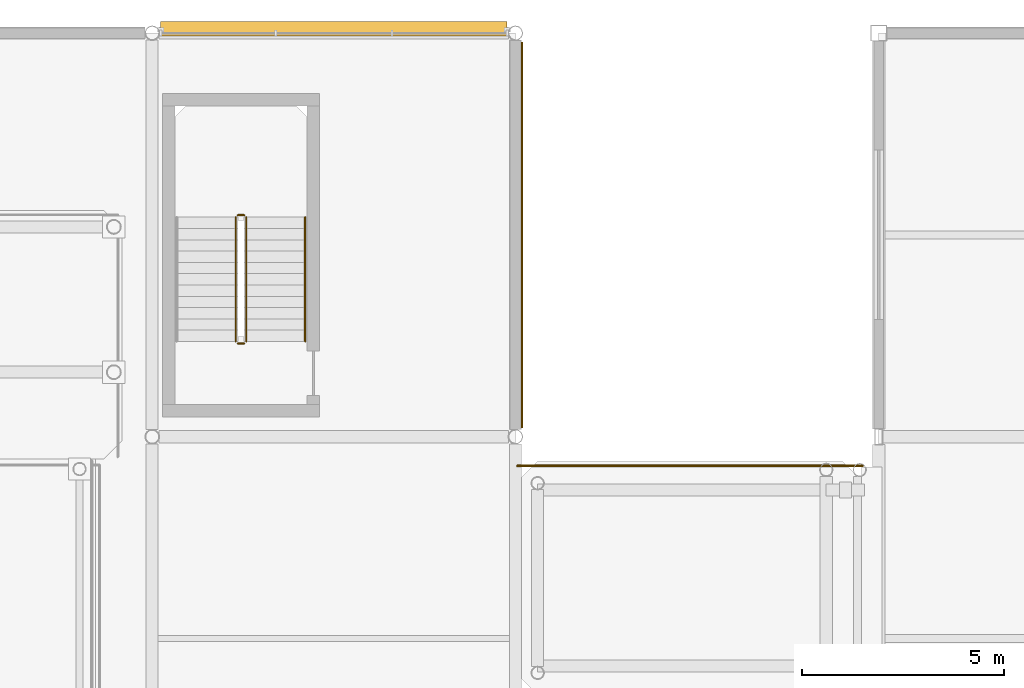
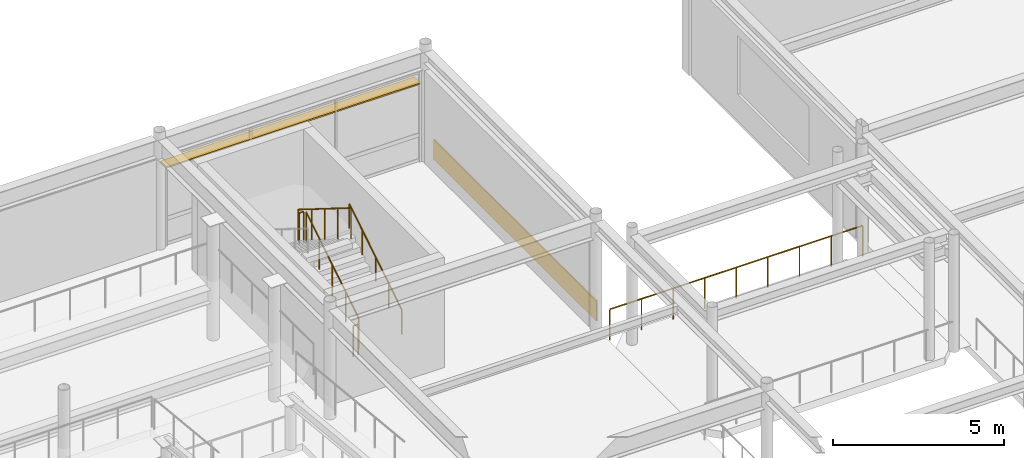
# One storey, part 62 of 70: 6 railings, 1 covering, 1 shading device.
"""IFC4 building model written with IfcOpenShell, lengths in metres."""

from ifc_helpers import new_model, si_unit, direction, frame, origin, origin_2d, place, context, subcontext, project, spatial, rectangle, circle, extrude, material, layer, layer_set, material_profile, profile_set, type_object, element, save


model = new_model("IFC4")

# Units and contexts
model_context = context("Model", 3, precision=1e-05, world=origin(), true_north=direction((0.0, 1.0)))
body_context = subcontext(model_context, "Body", "Model", "MODEL_VIEW")
ifc_project = project(units=[si_unit("LENGTHUNIT", "METRE"), si_unit("AREAUNIT", "SQUARE_METRE"), si_unit("VOLUMEUNIT", "CUBIC_METRE"), si_unit("PLANEANGLEUNIT", "RADIAN"), si_unit("MASSUNIT", "GRAM", prefix="KILO")], contexts=[model_context])

# Site, building, storey
site_placement = place(None, origin())
site = spatial("IfcSite", under=ifc_project, at=site_placement, CompositionType="ELEMENT")
building_placement = place(site_placement, origin())
building = spatial("IfcBuilding", under=site, at=building_placement, Name="Suzunagisa Mobility Hub", CompositionType="ELEMENT")
storey_placement = place(building_placement, frame((0.0, 0.0, 13.5)))
storey = spatial("IfcBuildingStorey", under=building, at=storey_placement, Name="L03", CompositionType="ELEMENT", Elevation=13.5)

# Railings
ifc_material_1 = material(Name="Stainless Steel SUS304", Category="metal")
railing_type_1 = type_object("IfcRailingType", Name="Interior Well Guardrail IGR-01", PredefinedType="GUARDRAIL", material=ifc_material_1)
railing_1_placement = place(storey_placement, frame((29.330078125, 110.360107421875, 0.175048828125)))
element("IfcRailing", 1, at=railing_1_placement, inside=storey, type_object=railing_type_1, Name="L03 ST-06 stair guard 1", PredefinedType="GUARDRAIL", context=body_context, shape_type="SweptSolid", body=[
    extrude(circle(Radius=0.02392578125, at=origin_2d()), frame((0.0, 0.0, 1.09619140625), z_axis=(0.0, 0.847979421464, 0.530029150871), x_axis=(-1.0, 0.0, 0.0)), (0.0, 0.0, 1.0), 3.632080078125),
    extrude(circle(Radius=0.02099609375, at=origin_2d()), origin(), (0.0, 0.0, 1.0), 1.072021484375),
    extrude(circle(Radius=0.02099609375, at=origin_2d()), frame((0.0, 0.77001953125, 0.481201171875)), (0.0, 0.0, 1.0), 1.072021484375),
    extrude(circle(Radius=0.02099609375, at=origin_2d()), frame((0.0, 1.5400390625, 0.96240234375)), (0.0, 0.0, 1.0), 1.072021484375),
    extrude(circle(Radius=0.02099609375, at=origin_2d()), frame((0.0, 2.309814453125, 1.44384765625)), (0.0, 0.0, 1.0), 1.072021484375),
    extrude(circle(Radius=0.02099609375, at=origin_2d()), frame((0.0, 3.079833984375, 1.925048828125)), (0.0, 0.0, 1.0), 1.072021484375),
])
railing_2_placement = place(storey_placement, frame((29.280029296875, 113.489990234375, 2.10009765625)))
element("IfcRailing", 2, at=railing_2_placement, inside=storey, type_object=railing_type_1, Name="L03 ST-06 stair guard 2", PredefinedType="GUARDRAIL", context=body_context, shape_type="SweptSolid", body=[
    extrude(circle(Radius=0.02392578125, at=origin_2d()), frame((0.0, 0.0, 1.09619140625), z_axis=(-1.0, 0.0, 0.0), x_axis=(0.0, -1.0, 0.0)), (0.0, 0.0, 1.0), 0.159912109375),
    extrude(circle(Radius=0.02099609375, at=origin_2d()), origin(), (0.0, 0.0, 1.0), 1.072021484375),
    extrude(circle(Radius=0.02099609375, at=origin_2d()), frame((-0.159912109375, 0.0, 0.0)), (0.0, 0.0, 1.0), 1.072021484375),
])
railing_3_placement = place(storey_placement, frame((29.070068359375, 113.43994140625, 2.27490234375)))
element("IfcRailing", 3, at=railing_3_placement, inside=storey, type_object=railing_type_1, Name="L03 ST-06 stair guard 3", PredefinedType="GUARDRAIL", context=body_context, shape_type="SweptSolid", body=[
    extrude(circle(Radius=0.02392578125, at=origin_2d()), frame((0.0, 0.0, 1.09619140625), z_axis=(0.0, -0.847979421464, 0.530029150871), x_axis=(1.0, 0.0, 0.0)), (0.0, 0.0, 1.0), 3.632080078125),
    extrude(circle(Radius=0.02099609375, at=origin_2d()), origin(), (0.0, 0.0, 1.0), 1.072021484375),
    extrude(circle(Radius=0.02099609375, at=origin_2d()), frame((0.0, -0.77001953125, 0.481201171875)), (0.0, 0.0, 1.0), 1.072021484375),
    extrude(circle(Radius=0.02099609375, at=origin_2d()), frame((0.0, -1.5400390625, 0.96240234375)), (0.0, 0.0, 1.0), 1.072021484375),
    extrude(circle(Radius=0.02099609375, at=origin_2d()), frame((0.0, -2.309814453125, 1.44384765625)), (0.0, 0.0, 1.0), 1.072021484375),
    extrude(circle(Radius=0.02099609375, at=origin_2d()), frame((0.0, -3.079833984375, 1.925048828125)), (0.0, 0.0, 1.0), 1.072021484375),
])
railing_4_placement = place(storey_placement, frame((29.280029296875, 110.31005859375, 0.0)))
element("IfcRailing", 4, at=railing_4_placement, inside=storey, type_object=railing_type_1, Name="L03 ST-06 stair guard 4", PredefinedType="GUARDRAIL", context=body_context, shape_type="SweptSolid", body=[
    extrude(circle(Radius=0.02392578125, at=origin_2d()), frame((0.0, 0.0, 1.09619140625), z_axis=(-1.0, 0.0, 0.0), x_axis=(0.0, -1.0, 0.0)), (0.0, 0.0, 1.0), 0.159912109375),
    extrude(circle(Radius=0.02099609375, at=origin_2d()), origin(), (0.0, 0.0, 1.0), 1.072021484375),
    extrude(circle(Radius=0.02099609375, at=origin_2d()), frame((-0.159912109375, 0.0, 0.0)), (0.0, 0.0, 1.0), 1.072021484375),
])

# Covering
ifc_material_2 = material(Name="Vitreous Porcelain Enamel Aluminum Cladding", Category="aluminium")
ifc_layer = layer(ifc_material_2, 0.034912109375)
ifc_layer_set = layer_set([ifc_layer], Name="Vitreous Porcelain Enamel Aluminum Cladding")
covering_type = type_object("IfcCoveringType", Name="Porcelain Enamel Spandrel Cladding Band CLD-01", PredefinedType="CLADDING", material=ifc_layer_set)
covering_placement = place(storey_placement, frame((36.157470703125, 113.0, 0.06005859375), z_axis=(0.0, 0.0, 1.0), x_axis=(0.0, 1.0, 0.0)))
element("IfcCovering", 5, at=covering_placement, inside=storey, type_object=covering_type, Name="L03 Porcelain Spandrel Cladding Band CLD-10", PredefinedType="CLADDING", context=body_context, shape_type="SweptSolid", body=[
    extrude(rectangle(XDim=9.54443359375, YDim=0.034912109375, at=origin_2d()), origin(), (0.0, 0.0, 1.0), 0.719970703125),
])

# Shading device
ifc_material_3 = material(Name="Fluoropolymer-Coated Extruded Aluminum 6063-T5", Category="aluminium")
ifc_material_profile = material_profile(ifc_material_3, rectangle(XDim=0.360107421875, YDim=0.050048828125, at=origin_2d()), Name="FIN-360x50")
ifc_profile_set = profile_set([ifc_material_profile], Name="Fluoropolymer-Coated Extruded Aluminum 6063-T5")
shading_device_type = type_object("IfcShadingDeviceType", Name="Streamline Aluminum Sunshade SF-01 FIN-360x50", PredefinedType="SHUTTER", material=ifc_profile_set)
shading_device_placement = place(storey_placement, frame((35.792236328125, 118.110107421875, 2.800048828125), z_axis=(-1.0, 0.0, 0.0), x_axis=(0.0, -1.0, 0.0)))
element("IfcShadingDevice", 6, at=shading_device_placement, inside=storey, type_object=shading_device_type, Name="L03 Streamline Speed-Rail Sunshade Fin SF-15", PredefinedType="SHUTTER", context=body_context, shape_type="SweptSolid", body=[
    extrude(rectangle(XDim=0.360107421875, YDim=0.050048828125, at=origin_2d()), origin(), (0.0, 0.0, 1.0), 8.58447265625),
])

# Railings
ifc_material_4 = material(Name="Stainless Steel SUS316", Category="metal")
railing_type_2 = type_object("IfcRailingType", Name="Terrace Stainless Steel Guardrail GR-01", PredefinedType="GUARDRAIL", material=ifc_material_4)
railing_5_placement = place(storey_placement, frame((36.050048828125, 107.280029296875, 0.0)))
element("IfcRailing", 7, at=railing_5_placement, inside=storey, type_object=railing_type_2, Name="L03 Bridge Edge Guardrail VRL-L03-N-86", PredefinedType="GUARDRAIL", context=body_context, shape_type="SweptSolid", body=[
    extrude(circle(Radius=0.02392578125, at=origin_2d()), frame((0.0, 0.0, 1.09619140625), z_axis=(1.0, 0.0, 0.0), x_axis=(0.0, 1.0, 0.0)), (0.0, 0.0, 1.0), 8.550048828125),
    extrude(circle(Radius=0.02099609375, at=origin_2d()), origin(), (0.0, 0.0, 1.0), 1.072021484375),
    extrude(circle(Radius=0.02099609375, at=origin_2d()), frame((1.06884765625, 0.0, 0.0)), (0.0, 0.0, 1.0), 1.072021484375),
    extrude(circle(Radius=0.02099609375, at=origin_2d()), frame((2.137451171875, 0.0, 0.0)), (0.0, 0.0, 1.0), 1.072021484375),
    extrude(circle(Radius=0.02099609375, at=origin_2d()), frame((3.206298828125, 0.0, 0.0)), (0.0, 0.0, 1.0), 1.072021484375),
    extrude(circle(Radius=0.02099609375, at=origin_2d()), frame((4.27490234375, 0.0, 0.0)), (0.0, 0.0, 1.0), 1.072021484375),
    extrude(circle(Radius=0.02099609375, at=origin_2d()), frame((5.34375, 0.0, 0.0)), (0.0, 0.0, 1.0), 1.072021484375),
    extrude(circle(Radius=0.02099609375, at=origin_2d()), frame((6.41259765625, 0.0, 0.0)), (0.0, 0.0, 1.0), 1.072021484375),
    extrude(circle(Radius=0.02099609375, at=origin_2d()), frame((7.481201171875, 0.0, 0.0)), (0.0, 0.0, 1.0), 1.072021484375),
    extrude(circle(Radius=0.02099609375, at=origin_2d()), frame((8.550048828125, 0.0, 0.0)), (0.0, 0.0, 1.0), 1.072021484375),
])
railing_type_3 = type_object("IfcRailingType", Name="Tubular Stainless Stair Handrail IHR-01", PredefinedType="HANDRAIL", material=ifc_material_1)
railing_6_placement = place(storey_placement, frame((30.7900390625, 110.360107421875, 0.175048828125)))
element("IfcRailing", 8, at=railing_6_placement, inside=storey, type_object=railing_type_3, Name="L03 ST-06 stair handrail 1", PredefinedType="HANDRAIL", context=body_context, shape_type="SweptSolid", body=[
    extrude(circle(Radius=0.02392578125, at=origin_2d()), frame((0.0, 0.0, 0.8759765625), z_axis=(0.0, 0.847979421464, 0.530029150871), x_axis=(-1.0, 0.0, 0.0)), (0.0, 0.0, 1.0), 3.632080078125),
    extrude(circle(Radius=0.02099609375, at=origin_2d()), origin(), (0.0, 0.0, 1.0), 0.851806640625),
    extrude(circle(Radius=0.02099609375, at=origin_2d()), frame((0.0, 0.77001953125, 0.481201171875)), (0.0, 0.0, 1.0), 0.851806640625),
    extrude(circle(Radius=0.02099609375, at=origin_2d()), frame((0.0, 1.5400390625, 0.96240234375)), (0.0, 0.0, 1.0), 0.851806640625),
    extrude(circle(Radius=0.02099609375, at=origin_2d()), frame((0.0, 2.309814453125, 1.44384765625)), (0.0, 0.0, 1.0), 0.851806640625),
    extrude(circle(Radius=0.02099609375, at=origin_2d()), frame((0.0, 3.079833984375, 1.925048828125)), (0.0, 0.0, 1.0), 0.851806640625),
])

save(model, "model.ifc")
